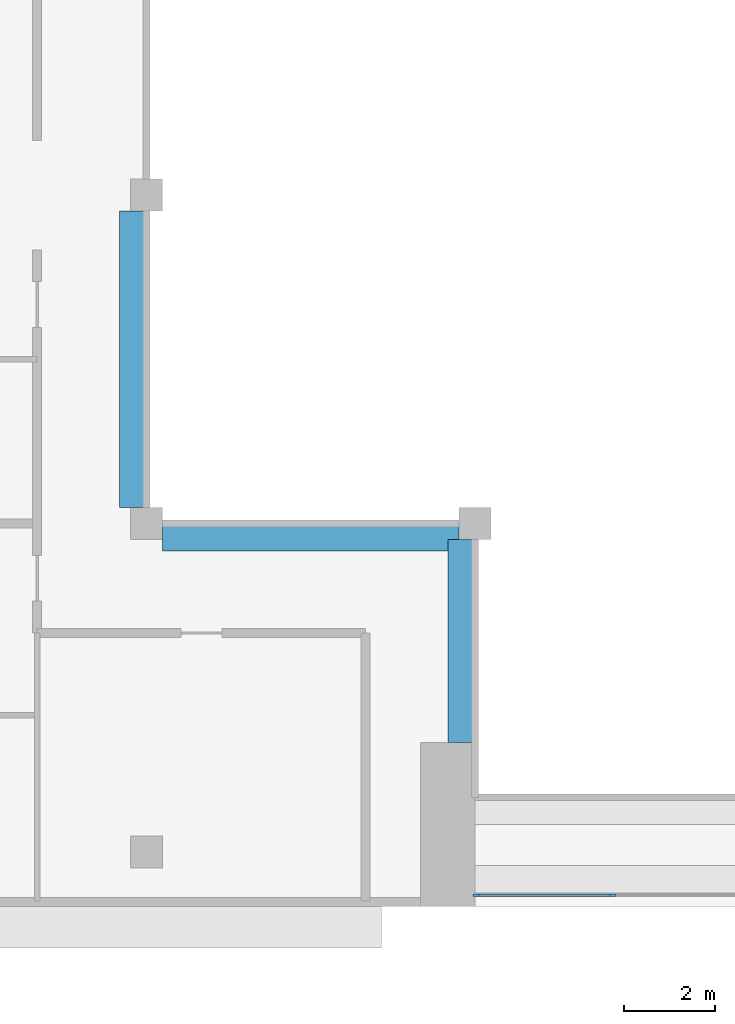
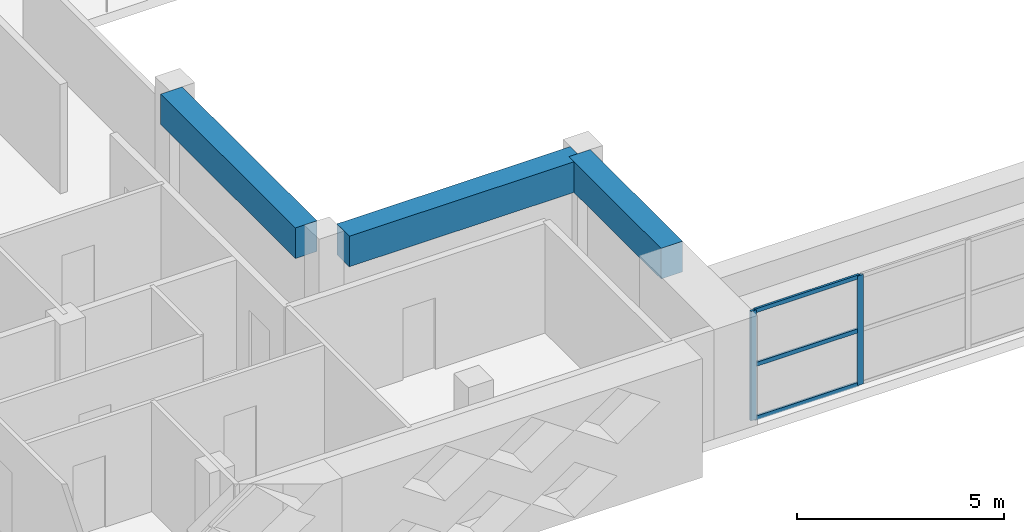
# One storey, part 2 of 18: 5 members, 3 beams, 1 element without a shape of its own.
"""IFC4 building model written with IfcOpenShell, lengths in metres."""

from ifc_helpers import new_model, si_unit, direction, frame, origin, origin_2d, place, context, subcontext, project, spatial, rectangle, extrude, source, transform, mapped, material, layer, layer_set, material_profile, profile_set, type_object, element, aggregate, save


model = new_model("IFC4")

# Units and contexts
model_context = context("Model", 3, precision=1e-05, world=origin(), true_north=direction((0.0, 1.0)))
body_context = subcontext(model_context, "Body", "Model", "MODEL_VIEW")
ifc_project = project(units=[si_unit("LENGTHUNIT", "METRE"), si_unit("AREAUNIT", "SQUARE_METRE"), si_unit("VOLUMEUNIT", "CUBIC_METRE"), si_unit("PLANEANGLEUNIT", "RADIAN"), si_unit("MASSUNIT", "GRAM", prefix="KILO")], contexts=[model_context])

# Site, building, storey
site_placement = place(None, origin())
site = spatial("IfcSite", under=ifc_project, at=site_placement, CompositionType="ELEMENT")
building_placement = place(site_placement, origin())
building = spatial("IfcBuilding", under=site, at=building_placement, Name="Saffron Iwan Residences", CompositionType="ELEMENT")
storey_placement = place(building_placement, frame((0.0, 0.0, 260.5)))
storey = spatial("IfcBuildingStorey", under=building, at=storey_placement, Name="L70", CompositionType="ELEMENT", Elevation=260.5)

# Beams
ifc_material_1 = material(Name="Concrete C40/50", Category="concrete")
ifc_material_profile_1 = material_profile(ifc_material_1, rectangle(XDim=0.60009765625, YDim=0.89990234375, at=origin_2d()), Name="RC 600x900")
ifc_profile_set_1 = profile_set([ifc_material_profile_1], Name="Concrete C40/50")
beam_type = type_object("IfcBeamType", Name="BEAM RC 600x900 C40/50 TOP 3220", PredefinedType="BEAM", material=ifc_profile_set_1)
shared_shape_1 = source(origin(), body_context, "Body", "SweptSolid", [
    extrude(rectangle(XDim=0.60009765625, YDim=0.89990234375, at=origin_2d()), origin(), (0.0, 0.0, 1.0), 4.449951171875),
])
beam_placement = place(storey_placement, frame((42.89990234375, 43.199951171875, 2.77001953125), z_axis=(0.0, 1.0, 0.0), x_axis=(-1.0, 0.0, 0.0)))
element("IfcBeam", 1, at=beam_placement, inside=storey, type_object=beam_type, Name="Atrium edge beam", PredefinedType="BEAM", context=body_context, shape_type="MappedRepresentation", body=[
    mapped(shared_shape_1, transform((0.0, 0.0, 0.0))),
])
shared_shape_2 = source(origin(), body_context, "Body", "SweptSolid", [
    extrude(rectangle(XDim=0.60009765625, YDim=0.89990234375, at=origin_2d()), origin(), (0.0, 0.0, 1.0), 6.5),
])
for number, where, z_axis, x_axis, name in (
    (2, (42.85009765625, 47.699951171875, 2.77001953125), (-1.0, 0.0, 0.0), (0.0, -1.0, 0.0), "Atrium edge beam"),
    (3, (35.699951171875, 48.35009765625, 2.77001953125), (0.0, 1.0, 0.0), (-1.0, 0.0, 0.0), "Atrium edge beam"),
):
    element("IfcBeam", number, at=place(storey_placement, frame(where, z_axis=z_axis, x_axis=x_axis)), inside=storey, type_object=beam_type, Name=name, PredefinedType="BEAM", context=body_context, shape_type="MappedRepresentation", body=[
        mapped(shared_shape_2, transform((0.0, 0.0, 0.0))),
    ])

# Curtain wall, members
ifc_material_2 = material(Name="Clear glass, laminated double glazed", Category="glass")
ifc_layer = layer(ifc_material_2, 0.199951171875)
ifc_layer_set = layer_set([ifc_layer], Name="Clear glass, laminated double glazed")
curtain_wall_type = type_object("IfcCurtainWallType", Name="CW-B IWAN PORTAL", PredefinedType="NOTDEFINED", material=ifc_layer_set)
curtain_wall_placement = place(storey_placement, origin())
curtain_wall = element("IfcCurtainWall", 4, at=curtain_wall_placement, inside=storey, type_object=curtain_wall_type, Name="Iwan portal glazing L70.1", PredefinedType="NOTDEFINED")
ifc_material_3 = material(Name="Aluminium 6063-T6", Category="aluminium")
ifc_material_profile_2 = material_profile(ifc_material_3, rectangle(XDim=0.06005859375, YDim=0.1201171875, at=origin_2d()), Name="CW-B TRANSOM 60 x 120")
ifc_profile_set_2 = profile_set([ifc_material_profile_2], Name="Aluminium 6063-T6")
member_type_1 = type_object("IfcMemberType", Name="CW-B TRANSOM 60 x 120", PredefinedType="USERDEFINED", material=ifc_profile_set_2)
shared_shape_3 = source(origin(), body_context, "Body", "SweptSolid", [
    extrude(rectangle(XDim=0.06005859375, YDim=0.1201171875, at=origin_2d()), origin(), (0.0, 0.0, 1.0), 2.909912109375),
])
member_1_placement = place(storey_placement, frame((43.260009765625, 39.85009765625, 0.030029296875), z_axis=(1.0, 0.0, 0.0), x_axis=(0.0, 1.0, 0.0)))
member_1 = element("IfcMember", 5, at=member_1_placement, type_object=member_type_1, Name="CW-B transom 1.1", ObjectType="TRANSOM", PredefinedType="USERDEFINED", context=body_context, shape_type="MappedRepresentation", body=[
    mapped(shared_shape_3, transform((0.0, 0.0, 0.0))),
])
member_2_placement = place(storey_placement, frame((43.260009765625, 39.85009765625, 1.610107421875), z_axis=(1.0, 0.0, 0.0), x_axis=(0.0, 1.0, 0.0)))
member_2 = element("IfcMember", 6, at=member_2_placement, type_object=member_type_1, Name="CW-B transom 1.2", ObjectType="TRANSOM", PredefinedType="USERDEFINED", context=body_context, shape_type="MappedRepresentation", body=[
    mapped(shared_shape_3, transform((0.0, 0.0, 0.0))),
])
member_3_placement = place(storey_placement, frame((43.260009765625, 39.85009765625, 3.18994140625), z_axis=(1.0, 0.0, 0.0), x_axis=(0.0, 1.0, 0.0)))
member_3 = element("IfcMember", 7, at=member_3_placement, type_object=member_type_1, Name="CW-B transom 1.3", ObjectType="TRANSOM", PredefinedType="USERDEFINED", context=body_context, shape_type="MappedRepresentation", body=[
    mapped(shared_shape_3, transform((0.0, 0.0, 0.0))),
])
ifc_material_profile_3 = material_profile(ifc_material_3, rectangle(XDim=0.06005859375, YDim=0.159912109375, at=origin_2d()), Name="CW-B MULLION 60 x 160")
ifc_profile_set_3 = profile_set([ifc_material_profile_3], Name="Aluminium 6063-T6")
member_type_2 = type_object("IfcMemberType", Name="CW-B MULLION 60 x 160", PredefinedType="MULLION", material=ifc_profile_set_3)
shared_shape_4 = source(origin(), body_context, "Body", "SweptSolid", [
    extrude(rectangle(XDim=0.06005859375, YDim=0.159912109375, at=origin_2d()), origin(), (0.0, 0.0, 1.0), 3.219970703125),
])
member_4_placement = place(storey_placement, frame((43.22998046875, 39.85009765625, 0.0), z_axis=(0.0, 0.0, 1.0), x_axis=(0.0, 1.0, 0.0)))
member_4 = element("IfcMember", 8, at=member_4_placement, type_object=member_type_2, Name="CW-B mullion 1", PredefinedType="MULLION", context=body_context, shape_type="MappedRepresentation", body=[
    mapped(shared_shape_4, transform((0.0, 0.0, 0.0))),
])
member_5_placement = place(storey_placement, frame((46.199951171875, 39.85009765625, 0.0), z_axis=(0.0, 0.0, 1.0), x_axis=(0.0, 1.0, 0.0)))
member_5 = element("IfcMember", 9, at=member_5_placement, type_object=member_type_2, Name="CW-B mullion 2", PredefinedType="MULLION", context=body_context, shape_type="MappedRepresentation", body=[
    mapped(shared_shape_4, transform((0.0, 0.0, 0.0))),
])
aggregate(curtain_wall, [member_4, member_5, member_1, member_2, member_3])

save(model, "model.ifc")
